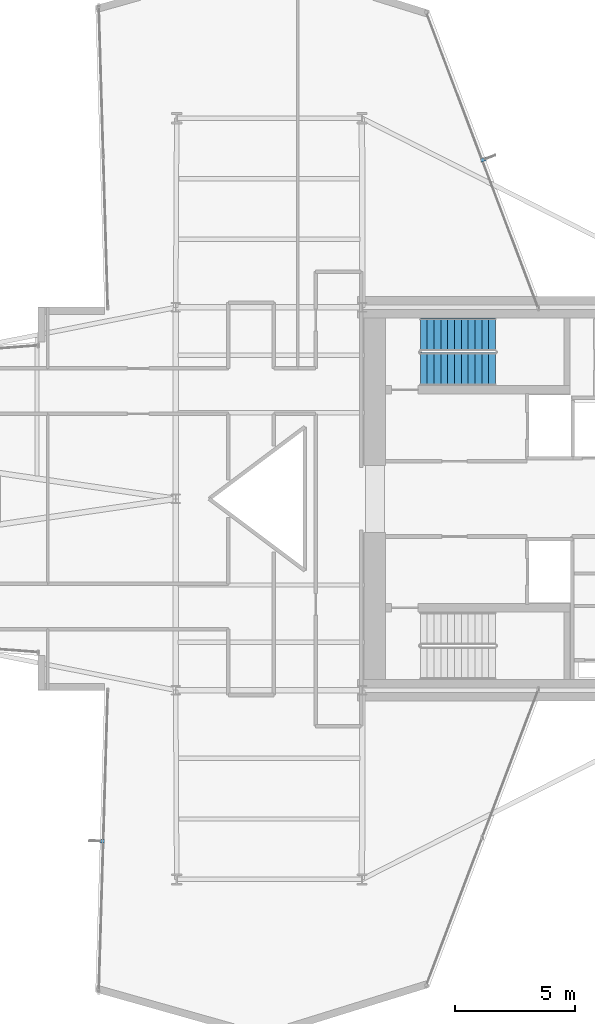
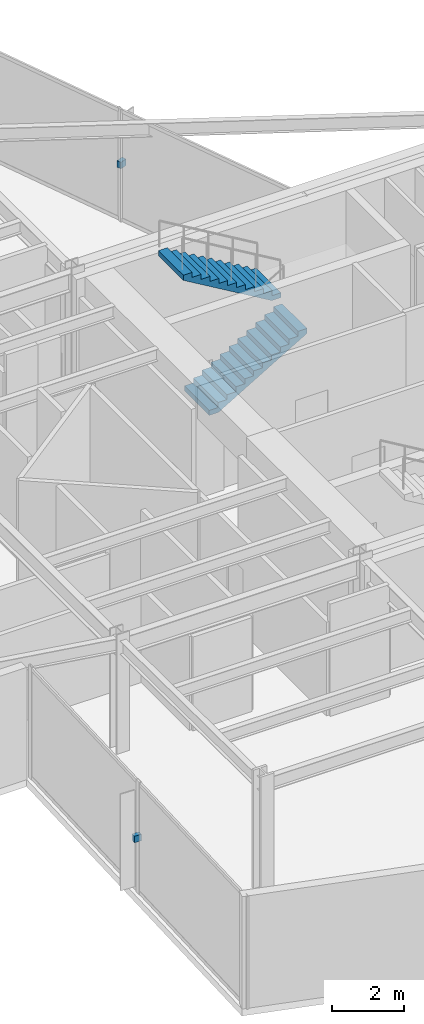
# One storey, part 28 of 29: 2 discrete accessories, 2 stair flights, 1 element without a shape of its own.
"""IFC4 building model written with IfcOpenShell, lengths in metres."""

from ifc_helpers import new_model, si_unit, direction, frame, origin, origin_2d, place, context, subcontext, project, spatial, polyline, rectangle, outline, extrude, material, layer, layer_set, type_object, element, aggregate, save


model = new_model("IFC4")

# Units and contexts
model_context = context("Model", 3, precision=1e-05, world=origin(), true_north=direction((0.0, 1.0)))
body_context = subcontext(model_context, "Body", "Model", "MODEL_VIEW")
ifc_project = project(units=[si_unit("LENGTHUNIT", "METRE"), si_unit("AREAUNIT", "SQUARE_METRE"), si_unit("VOLUMEUNIT", "CUBIC_METRE"), si_unit("PLANEANGLEUNIT", "RADIAN"), si_unit("MASSUNIT", "GRAM", prefix="KILO")], contexts=[model_context])

# Site, building, storey
site_placement = place(None, origin())
site = spatial("IfcSite", under=ifc_project, at=site_placement, CompositionType="ELEMENT")
building_placement = place(site_placement, origin())
building = spatial("IfcBuilding", under=site, at=building_placement, Name="Veymaron Broadcast Tower", CompositionType="ELEMENT")
storey_placement = place(building_placement, frame((0.0, 0.0, 41.85009765625)))
storey = spatial("IfcBuildingStorey", under=building, at=storey_placement, Name="L08", CompositionType="ELEMENT", Elevation=41.85009765625)

# Stair, stair flights
ifc_material_1 = material(Name="Concrete C50/60", Category="concrete")
stair_type = type_object("IfcStairType", Name="STAIR-CORE-1", PredefinedType="HALF_TURN_STAIR", material=ifc_material_1)
stair_placement = place(storey_placement, origin())
stair = element("IfcStair", 1, at=stair_placement, inside=storey, type_object=stair_type, Name="L08 North protected dog-leg exit stair ST1", PredefinedType="HALF_TURN_STAIR")
ifc_material_2 = material(Name="Precast concrete C50/60", Category="concrete")
stair_flight_type = type_object("IfcStairFlightType", Name="FLT-CORE-RC", PredefinedType="STRAIGHT", material=ifc_material_2)
stair_flight_1_placement = place(storey_placement, frame((41.429931640625, 29.419921875, 0.0), z_axis=(0.0, 0.0, 1.0), x_axis=(1.0, 0.0, 0.0)))
stair_flight_1 = element("IfcStairFlight", 2, at=stair_flight_1_placement, type_object=stair_flight_type, Name="ST1 flight 1", NumberOfRisers=12, NumberOfTreads=11, PredefinedType="STRAIGHT", RiserHeight=0.16875, TreadLength=0.285, context=body_context, shape_type="SweptSolid", body=[
    extrude(outline(polyline([(0.0, 0.0), (0.0, 0.168701171875), (0.284912109375, 0.168701171875), (0.284912109375, 0.33740234375), (0.570068359375, 0.33740234375), (0.570068359375, 0.50634765625), (0.85498046875, 0.50634765625), (0.85498046875, 0.675048828125), (1.139892578125, 0.675048828125), (1.139892578125, 0.84375), (1.425048828125, 0.84375), (1.425048828125, 1.012451171875), (1.7099609375, 1.012451171875), (1.7099609375, 1.18115234375), (1.9951171875, 1.18115234375), (1.9951171875, 1.35009765625), (2.280029296875, 1.35009765625), (2.280029296875, 1.518798828125), (2.56494140625, 1.518798828125), (2.56494140625, 1.6875), (2.85009765625, 1.6875), (2.85009765625, 1.856201171875), (3.135009765625, 1.856201171875), (3.135009765625, 2.02490234375), (3.135009765625, 1.68212890625), (0.294189453125, 0.0), (0.0, 0.0)])), frame((0.0, 0.68994140625, 0.0), z_axis=(0.0, -1.0, 0.0), x_axis=(1.0, 0.0, 0.0)), (0.0, 0.0, 1.0), 1.3798828125),
])
stair_flight_2_placement = place(storey_placement, frame((44.56494140625, 30.860107421875, 2.02490234375), z_axis=(0.0, 0.0, 1.0), x_axis=(-1.0, 0.0, 0.0)))
stair_flight_2 = element("IfcStairFlight", 3, at=stair_flight_2_placement, type_object=stair_flight_type, Name="ST1 flight 2", NumberOfRisers=12, NumberOfTreads=11, PredefinedType="STRAIGHT", RiserHeight=0.16875, TreadLength=0.285, context=body_context, shape_type="SweptSolid", body=[
    extrude(outline(polyline([(0.0, 0.0), (0.0, 0.168701171875), (0.284912109375, 0.168701171875), (0.284912109375, 0.33740234375), (0.570068359375, 0.33740234375), (0.570068359375, 0.50634765625), (0.85498046875, 0.50634765625), (0.85498046875, 0.675048828125), (1.139892578125, 0.675048828125), (1.139892578125, 0.84375), (1.425048828125, 0.84375), (1.425048828125, 1.012451171875), (1.7099609375, 1.012451171875), (1.7099609375, 1.18115234375), (1.9951171875, 1.18115234375), (1.9951171875, 1.35009765625), (2.280029296875, 1.35009765625), (2.280029296875, 1.518798828125), (2.56494140625, 1.518798828125), (2.56494140625, 1.6875), (2.85009765625, 1.6875), (2.85009765625, 1.856201171875), (3.135009765625, 1.856201171875), (3.135009765625, 2.02490234375), (3.135009765625, 1.68212890625), (0.294189453125, 0.0), (0.0, 0.0)])), frame((0.0, 0.68994140625, 0.0), z_axis=(0.0, -1.0, 0.0), x_axis=(1.0, 0.0, 0.0)), (0.0, 0.0, 1.0), 1.3798828125),
])
aggregate(stair, [stair_flight_1, stair_flight_2])

# Discrete accessories
ifc_material_3 = material(Name="Austenitic stainless steel AISI 316L", Category="steel")
ifc_layer = layer(ifc_material_3, 0.1201171875)
ifc_layer_set = layer_set([ifc_layer], Name="Austenitic stainless steel AISI 316L")
discrete_accessory_type = type_object("IfcDiscreteAccessoryType", Name="ACC-BRKT-SS1", PredefinedType="BRACKET", material=ifc_layer_set)
for number, where, z_axis, x_axis, name in (
    (4, (44.071044921875, 38.1787109375, 1.794921875), (0.0, 0.0, 1.0), (0.935159941588, 0.354225752381, 0.0), "CW-L08-E5-1 fin bracket 1"),
    (5, (28.115478515625, 9.692138671875, 1.794921875), (0.0, 0.0, 1.0), (-0.999554146188, 0.029858145254, 0.0), "CW-L08-E17-1 fin bracket 1"),
):
    element("IfcDiscreteAccessory", number, at=place(storey_placement, frame(where, z_axis=z_axis, x_axis=x_axis)), inside=storey, type_object=discrete_accessory_type, Name=name, PredefinedType="BRACKET", context=body_context, shape_type="SweptSolid", body=[
        extrude(rectangle(XDim=0.219970703125, YDim=0.139892578125, at=origin_2d()), origin(), (0.0, 0.0, 1.0), 0.219970703125),
    ])

save(model, "model.ifc")
